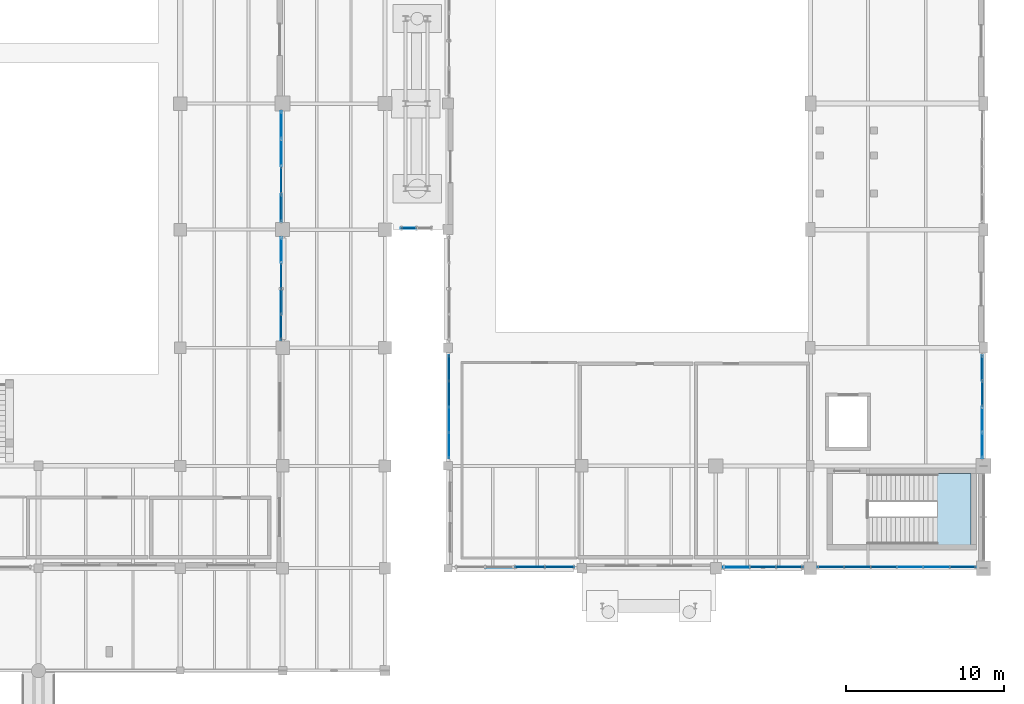
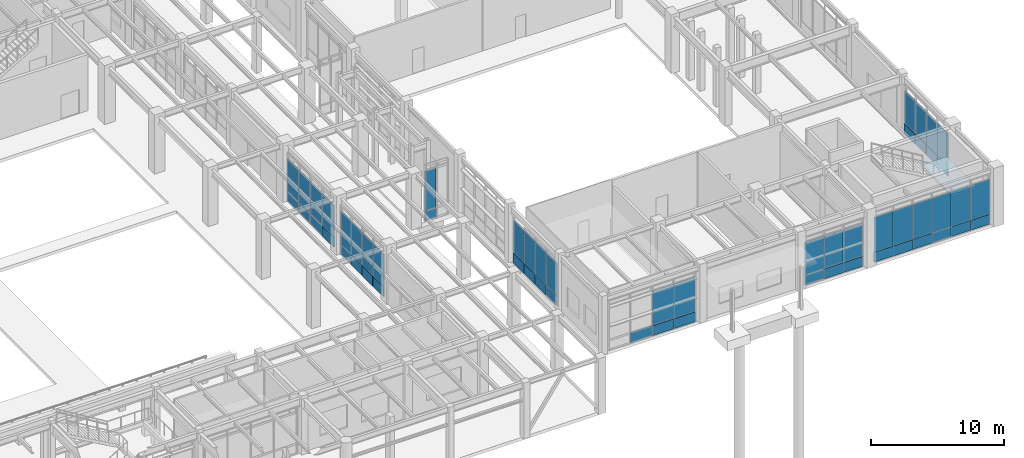
# One storey, part 158 of 203: 57 plates, 1 slab, 9 elements without a shape of their own.
"""IFC4 building model written with IfcOpenShell, lengths in metres."""

from ifc_helpers import new_model, si_unit, direction, frame, origin, origin_2d, place, context, subcontext, project, spatial, polyline, rectangle, outline, extrude, material, layer, layer_set, type_object, element, aggregate, save


model = new_model("IFC4")

# Units and contexts
model_context = context("Model", 3, precision=1e-05, world=origin(), true_north=direction((0.0, 1.0)))
body_context = subcontext(model_context, "Body", "Model", "MODEL_VIEW")
ifc_project = project(units=[si_unit("LENGTHUNIT", "METRE"), si_unit("AREAUNIT", "SQUARE_METRE"), si_unit("VOLUMEUNIT", "CUBIC_METRE"), si_unit("PLANEANGLEUNIT", "RADIAN"), si_unit("MASSUNIT", "GRAM", prefix="KILO"), si_unit("THERMODYNAMICTEMPERATUREUNIT", "KELVIN"), si_unit("POWERUNIT", "WATT")], contexts=[model_context])

# Site, building, storey
site_placement = place(None, origin())
site = spatial("IfcSite", under=ifc_project, at=site_placement, CompositionType="ELEMENT")
building_placement = place(site_placement, origin())
building = spatial("IfcBuilding", under=site, at=building_placement, Name="Tepalcoro Natatorium and Aquatics Centre", CompositionType="ELEMENT")
storey_placement = place(building_placement, origin())
storey = spatial("IfcBuildingStorey", under=building, at=storey_placement, Name="L00", CompositionType="ELEMENT", Elevation=0.0)

# Curtain wall, plate
ifc_material_1 = material(Name="Bronze-Anodised Extruded Aluminium Alloy EN AW-6063 T6", Category="aluminium")
curtain_wall_type_1 = type_object("IfcCurtainWallType", Name="CW_LEAN_T2_EW", PredefinedType="USERDEFINED", material=ifc_material_1)
curtain_wall_1_placement = place(storey_placement, origin())
curtain_wall_1 = element("IfcCurtainWall", 1, at=curtain_wall_1_placement, inside=storey, type_object=curtain_wall_type_1, Name="V1 L00 E Unitised Curtain Wall Bay 3", ObjectType="FACETED SOLAR GLAZING", PredefinedType="USERDEFINED")
ifc_material_2 = material(Name="Solar-Control Bronze Tempered Low-E Double Glazing", Category="glass")
ifc_layer_1 = layer(ifc_material_2, 0.048095703125)
ifc_layer_set_1 = layer_set([ifc_layer_1], Name="Solar-Control Bronze Tempered Low-E Double Glazing")
plate_type_1 = type_object("IfcPlateType", Name="PL_ACOUSTIC_IGU_48", PredefinedType="CURTAIN_PANEL", material=ifc_layer_set_1)
plate_1_placement = place(storey_placement, frame((131.409912109375, 23.4326171875, 0.9599609375), z_axis=(0.0, 0.0, 1.0), x_axis=(1.0, 0.0, 0.0)))
plate_1 = element("IfcPlate", 2, at=plate_1_placement, type_object=plate_type_1, Name="CW_LEAN_T2_EW Insulated Glazing Unit", PredefinedType="CURTAIN_PANEL", context=body_context, shape_type="SweptSolid", body=[
    extrude(rectangle(XDim=0.048095703125, YDim=1.614990234375, at=origin_2d()), origin(), (0.0, 0.0, 1.0), 3.006103515625),
])

# Curtain wall, plates
curtain_wall_type_2 = type_object("IfcCurtainWallType", Name="CW_V1_PLINTH", PredefinedType="USERDEFINED", material=ifc_material_1)
curtain_wall_2_placement = place(storey_placement, origin())
curtain_wall_2 = element("IfcCurtainWall", 3, at=curtain_wall_2_placement, inside=storey, type_object=curtain_wall_type_2, Name="V1 L00 E Unitised Curtain Wall Bay 4", ObjectType="UNITISED STOREFRONT", PredefinedType="USERDEFINED")
plate_2_placement = place(storey_placement, frame((131.409912109375, 29.360107421875, 0.9599609375), z_axis=(0.0, 0.0, 1.0), x_axis=(1.0, 0.0, 0.0)))
plate_2 = element("IfcPlate", 4, at=plate_2_placement, type_object=plate_type_1, Name="CW_V1_PLINTH Insulated Glazing Unit", PredefinedType="CURTAIN_PANEL", context=body_context, shape_type="SweptSolid", body=[
    extrude(rectangle(XDim=0.048095703125, YDim=1.739990234375, at=origin_2d()), origin(), (0.0, 0.0, 1.0), 2.93310546875),
])
plate_3_placement = place(storey_placement, frame((131.409912109375, 34.639892578125, 0.9599609375), z_axis=(0.0, 0.0, 1.0), x_axis=(1.0, 0.0, 0.0)))
plate_3 = element("IfcPlate", 5, at=plate_3_placement, type_object=plate_type_1, Name="CW_V1_PLINTH Insulated Glazing Unit", PredefinedType="CURTAIN_PANEL", context=body_context, shape_type="SweptSolid", body=[
    extrude(rectangle(XDim=0.048095703125, YDim=1.739990234375, at=origin_2d()), origin(), (0.0, 0.0, 1.0), 2.93310546875),
])

# Curtain wall, plate
curtain_wall_type_3 = type_object("IfcCurtainWallType", Name="CW_V4_VILLAGE", PredefinedType="USERDEFINED", material=ifc_material_1)
curtain_wall_3_placement = place(storey_placement, origin())
curtain_wall_3 = element("IfcCurtainWall", 6, at=curtain_wall_3_placement, inside=storey, type_object=curtain_wall_type_3, Name="V2 L00 S Unitised Curtain Wall Bay 3", ObjectType="UNITISED STOREFRONT", PredefinedType="USERDEFINED")
plate_4_placement = place(storey_placement, frame((160.320068359375, 6.576171875, 0.9599609375), z_axis=(0.0, 0.0, 1.0), x_axis=(1.0, 0.0, 0.0)))
plate_4 = element("IfcPlate", 7, at=plate_4_placement, type_object=plate_type_1, Name="CW_V4_VILLAGE Insulated Glazing Unit", PredefinedType="CURTAIN_PANEL", context=body_context, shape_type="SweptSolid", body=[
    extrude(rectangle(XDim=1.659912109375, YDim=0.048095703125, at=origin_2d()), origin(), (0.0, 0.0, 1.0), 2.97802734375),
])

# Curtain wall, plates
curtain_wall_type_4 = type_object("IfcCurtainWallType", Name="CW_V5_LOWER", PredefinedType="USERDEFINED", material=ifc_material_1)
curtain_wall_4_placement = place(storey_placement, origin())
curtain_wall_4 = element("IfcCurtainWall", 8, at=curtain_wall_4_placement, inside=storey, type_object=curtain_wall_type_4, Name="V2 L00 S Unitised Curtain Wall Bay 4", ObjectType="UNITISED STOREFRONT", PredefinedType="USERDEFINED")
plate_5_placement = place(storey_placement, frame((169.663330078125, 6.580078125, 0.9599609375), z_axis=(0.0, 0.0, 1.0), x_axis=(1.0, 0.0, 0.0)))
plate_5 = element("IfcPlate", 9, at=plate_5_placement, type_object=plate_type_1, Name="CW_V5_LOWER Insulated Glazing Unit", PredefinedType="CURTAIN_PANEL", context=body_context, shape_type="SweptSolid", body=[
    extrude(rectangle(XDim=1.6533203125, YDim=0.048095703125, at=origin_2d()), origin(), (0.0, 0.0, 1.0), 3.177001953125),
])
plate_6_placement = place(storey_placement, frame((174.683349609375, 6.580078125, 0.9599609375), z_axis=(0.0, 0.0, 1.0), x_axis=(1.0, 0.0, 0.0)))
plate_6 = element("IfcPlate", 10, at=plate_6_placement, type_object=plate_type_1, Name="CW_V5_LOWER Insulated Glazing Unit", PredefinedType="CURTAIN_PANEL", context=body_context, shape_type="SweptSolid", body=[
    extrude(rectangle(XDim=1.6533203125, YDim=0.048095703125, at=origin_2d()), origin(), (0.0, 0.0, 1.0), 3.177001953125),
])

# Curtain wall, plate
curtain_wall_type_5 = type_object("IfcCurtainWallType", Name="CW_LEAN_T1_NS", PredefinedType="USERDEFINED", material=ifc_material_1)
curtain_wall_5_placement = place(storey_placement, origin())
curtain_wall_5 = element("IfcCurtainWall", 11, at=curtain_wall_5_placement, inside=storey, type_object=curtain_wall_type_5, Name="V2 L00 W Unitised Curtain Wall Bay 2", ObjectType="FACETED SOLAR GLAZING", PredefinedType="USERDEFINED")
plate_7_placement = place(storey_placement, frame((142.06494140625, 17.5673828125, 0.9599609375), z_axis=(0.0, 0.0, 1.0), x_axis=(1.0, 0.0, 0.0)))
plate_7 = element("IfcPlate", 12, at=plate_7_placement, type_object=plate_type_1, Name="CW_LEAN_T1_NS Insulated Glazing Unit", PredefinedType="CURTAIN_PANEL", context=body_context, shape_type="SweptSolid", body=[
    extrude(rectangle(XDim=0.048095703125, YDim=1.614990234375, at=origin_2d()), origin(), (0.0, 0.0, 1.0), 2.97802734375),
])

# Curtain wall, plates
curtain_wall_type_6 = type_object("IfcCurtainWallType", Name="CW_LEAN_T2_NS", PredefinedType="USERDEFINED", material=ifc_material_1)
curtain_wall_6_placement = place(storey_placement, origin())
curtain_wall_6 = element("IfcCurtainWall", 13, at=curtain_wall_6_placement, inside=storey, type_object=curtain_wall_type_6, Name="V2 L00 E Unitised Curtain Wall Bay 2", ObjectType="FACETED SOLAR GLAZING", PredefinedType="USERDEFINED")
plate_8_placement = place(storey_placement, frame((175.923828125, 14.297607421875, 0.9599609375), z_axis=(0.0, 0.0, 1.0), x_axis=(1.0, 0.0, 0.0)))
plate_8 = element("IfcPlate", 14, at=plate_8_placement, type_object=plate_type_1, Name="CW_LEAN_T2_NS Insulated Glazing Unit", PredefinedType="CURTAIN_PANEL", context=body_context, shape_type="SweptSolid", body=[
    extrude(rectangle(XDim=0.048095703125, YDim=1.614990234375, at=origin_2d()), origin(), (0.0, 0.0, 1.0), 2.97802734375),
])
plate_9_placement = place(storey_placement, frame((175.923828125, 19.202392578125, 0.9599609375), z_axis=(0.0, 0.0, 1.0), x_axis=(1.0, 0.0, 0.0)))
plate_9 = element("IfcPlate", 15, at=plate_9_placement, type_object=plate_type_1, Name="CW_LEAN_T2_NS Insulated Glazing Unit", PredefinedType="CURTAIN_PANEL", context=body_context, shape_type="SweptSolid", body=[
    extrude(rectangle(XDim=0.048095703125, YDim=1.614990234375, at=origin_2d()), origin(), (0.0, 0.0, 1.0), 2.97802734375),
])

# Curtain wall, plate
curtain_wall_type_7 = type_object("IfcCurtainWallType", Name="CW_LINK_150", PredefinedType="USERDEFINED", material=ifc_material_1)
curtain_wall_7_placement = place(storey_placement, origin())
curtain_wall_7 = element("IfcCurtainWall", 16, at=curtain_wall_7_placement, inside=storey, type_object=curtain_wall_type_7, Name="East Diving Seismic Link Glazed Wall S L00", ObjectType="UNITISED STOREFRONT", PredefinedType="USERDEFINED")
plate_10_placement = place(storey_placement, frame((139.5, 28.080078125, 0.9599609375), z_axis=(0.0, 0.0, 1.0), x_axis=(1.0, 0.0, 0.0)))
plate_10 = element("IfcPlate", 17, at=plate_10_placement, type_object=plate_type_1, Name="CW_LINK_150 Insulated Glazing Unit", PredefinedType="CURTAIN_PANEL", context=body_context, shape_type="SweptSolid", body=[
    extrude(rectangle(XDim=0.97998046875, YDim=0.048095703125, at=origin_2d()), origin(), (0.0, 0.0, 1.0), 3.639892578125),
])

# Plate
ifc_layer_2 = layer(ifc_material_2, 0.028076171875)
ifc_layer_set_2 = layer_set([ifc_layer_2], Name="Solar-Control Bronze Tempered Low-E Double Glazing")
plate_type_2 = type_object("IfcPlateType", Name="PL_BRONZE_IGU_28", PredefinedType="CURTAIN_PANEL", material=ifc_layer_set_2)
plate_11_placement = place(storey_placement, frame((131.409912109375, 21.797607421875, 0.9599609375), z_axis=(0.0, 0.0, 1.0), x_axis=(1.0, 0.0, 0.0)))
plate_11 = element("IfcPlate", 18, at=plate_11_placement, type_object=plate_type_2, Name="CW_LEAN_T2_EW Insulated Glazing Unit", PredefinedType="CURTAIN_PANEL", context=body_context, shape_type="SweptSolid", body=[
    extrude(rectangle(XDim=0.028076171875, YDim=1.614990234375, at=origin_2d()), origin(), (0.0, 0.0, 1.0), 3.006103515625),
])

plate_12_placement = place(storey_placement, frame((131.409912109375, 26.702392578125, 0.9599609375), z_axis=(0.0, 0.0, 1.0), x_axis=(1.0, 0.0, 0.0)))
plate_12 = element("IfcPlate", 19, at=plate_12_placement, type_object=plate_type_2, Name="CW_LEAN_T2_EW Insulated Glazing Unit", PredefinedType="CURTAIN_PANEL", context=body_context, shape_type="SweptSolid", body=[
    extrude(rectangle(XDim=0.028076171875, YDim=1.614990234375, at=origin_2d()), origin(), (0.0, 0.0, 1.0), 3.006103515625),
])

plate_13_placement = place(storey_placement, frame((131.409912109375, 32.8798828125, 0.9599609375), z_axis=(0.0, 0.0, 1.0), x_axis=(1.0, 0.0, 0.0)))
plate_13 = element("IfcPlate", 20, at=plate_13_placement, type_object=plate_type_2, Name="CW_V1_PLINTH Insulated Glazing Unit", PredefinedType="CURTAIN_PANEL", context=body_context, shape_type="SweptSolid", body=[
    extrude(rectangle(XDim=0.028076171875, YDim=1.739990234375, at=origin_2d()), origin(), (0.0, 0.0, 1.0), 2.93310546875),
])

# Curtain wall, plate
curtain_wall_type_8 = type_object("IfcCurtainWallType", Name="CW_V2_DIVING", PredefinedType="USERDEFINED", material=ifc_material_1)
curtain_wall_8_placement = place(storey_placement, origin())
curtain_wall_8 = element("IfcCurtainWall", 21, at=curtain_wall_8_placement, inside=storey, type_object=curtain_wall_type_8, Name="V2 L00 S Unitised Curtain Wall Bay 1", ObjectType="FACETED SOLAR GLAZING", PredefinedType="USERDEFINED")
plate_14_placement = place(storey_placement, frame((149.077392578125, 6.576171875, 0.9599609375), z_axis=(0.0, 0.0, 1.0), x_axis=(1.0, 0.0, 0.0)))
plate_14 = element("IfcPlate", 22, at=plate_14_placement, type_object=plate_type_2, Name="CW_V2_DIVING Insulated Glazing Unit", PredefinedType="CURTAIN_PANEL", context=body_context, shape_type="SweptSolid", body=[
    extrude(rectangle(XDim=1.864990234375, YDim=0.028076171875, at=origin_2d()), origin(), (0.0, 0.0, 1.0), 3.1298828125),
])

# Plate
plate_15_placement = place(storey_placement, frame((163.679931640625, 6.576171875, 0.9599609375), z_axis=(0.0, 0.0, 1.0), x_axis=(1.0, 0.0, 0.0)))
plate_15 = element("IfcPlate", 23, at=plate_15_placement, type_object=plate_type_2, Name="CW_V4_VILLAGE Insulated Glazing Unit", PredefinedType="CURTAIN_PANEL", context=body_context, shape_type="SweptSolid", body=[
    extrude(rectangle(XDim=1.659912109375, YDim=0.028076171875, at=origin_2d()), origin(), (0.0, 0.0, 1.0), 2.97802734375),
])

plate_16_placement = place(storey_placement, frame((167.989990234375, 6.580078125, 0.9599609375), z_axis=(0.0, 0.0, 1.0), x_axis=(1.0, 0.0, 0.0)))
plate_16 = element("IfcPlate", 24, at=plate_16_placement, type_object=plate_type_2, Name="CW_V5_LOWER Insulated Glazing Unit", PredefinedType="CURTAIN_PANEL", context=body_context, shape_type="SweptSolid", body=[
    extrude(rectangle(XDim=1.6533203125, YDim=0.028076171875, at=origin_2d()), origin(), (0.0, 0.0, 1.0), 3.177001953125),
])

plate_17_placement = place(storey_placement, frame((173.010009765625, 6.580078125, 0.9599609375), z_axis=(0.0, 0.0, 1.0), x_axis=(1.0, 0.0, 0.0)))
plate_17 = element("IfcPlate", 25, at=plate_17_placement, type_object=plate_type_2, Name="CW_V5_LOWER Insulated Glazing Unit", PredefinedType="CURTAIN_PANEL", context=body_context, shape_type="SweptSolid", body=[
    extrude(rectangle(XDim=1.6533203125, YDim=0.028076171875, at=origin_2d()), origin(), (0.0, 0.0, 1.0), 3.177001953125),
])

plate_18_placement = place(storey_placement, frame((142.06494140625, 15.9326171875, 0.9599609375), z_axis=(0.0, 0.0, 1.0), x_axis=(1.0, 0.0, 0.0)))
plate_18 = element("IfcPlate", 26, at=plate_18_placement, type_object=plate_type_2, Name="CW_LEAN_T1_NS Insulated Glazing Unit", PredefinedType="CURTAIN_PANEL", context=body_context, shape_type="SweptSolid", body=[
    extrude(rectangle(XDim=0.028076171875, YDim=1.614990234375, at=origin_2d()), origin(), (0.0, 0.0, 1.0), 2.97802734375),
])

plate_19_placement = place(storey_placement, frame((175.923828125, 17.5673828125, 0.9599609375), z_axis=(0.0, 0.0, 1.0), x_axis=(1.0, 0.0, 0.0)))
plate_19 = element("IfcPlate", 27, at=plate_19_placement, type_object=plate_type_2, Name="CW_LEAN_T2_NS Insulated Glazing Unit", PredefinedType="CURTAIN_PANEL", context=body_context, shape_type="SweptSolid", body=[
    extrude(rectangle(XDim=0.028076171875, YDim=1.614990234375, at=origin_2d()), origin(), (0.0, 0.0, 1.0), 2.97802734375),
])

ifc_material_3 = material(Name="Jalisco Cantera Rosa Volcanic Tuff Ashlar Masonry", Category="masonry")
ifc_layer_3 = layer(ifc_material_3, 0.090087890625)
ifc_layer_set_3 = layer_set([ifc_layer_3], Name="Jalisco Cantera Rosa Volcanic Tuff Ashlar Masonry")
plate_type_3 = type_object("IfcPlateType", Name="PL_CANTERA_90", PredefinedType="SHEET", material=ifc_layer_set_3)
plate_20_placement = place(storey_placement, frame((131.409912109375, 21.797607421875, 0.044921875), z_axis=(0.0, 0.0, 1.0), x_axis=(1.0, 0.0, 0.0)))
plate_20 = element("IfcPlate", 28, at=plate_20_placement, type_object=plate_type_3, Name="CW_LEAN_T2_EW Spandrel & Screen Panel", PredefinedType="SHEET", context=body_context, shape_type="SweptSolid", body=[
    extrude(rectangle(XDim=0.090087890625, YDim=1.614990234375, at=origin_2d()), origin(), (0.0, 0.0, 1.0), 0.909912109375),
])

plate_21_placement = place(storey_placement, frame((147.1923828125, 6.576171875, 0.044921875), z_axis=(0.0, 0.0, 1.0), x_axis=(1.0, 0.0, 0.0)))
plate_21 = element("IfcPlate", 29, at=plate_21_placement, type_object=plate_type_3, Name="CW_V2_DIVING Spandrel & Screen Panel", PredefinedType="SHEET", context=body_context, shape_type="SweptSolid", body=[
    extrude(rectangle(XDim=1.864990234375, YDim=0.090087890625, at=origin_2d()), origin(), (0.0, 0.0, 1.0), 0.909912109375),
])

plate_22_placement = place(storey_placement, frame((162.0, 6.576171875, 0.044921875), z_axis=(0.0, 0.0, 1.0), x_axis=(1.0, 0.0, 0.0)))
plate_22 = element("IfcPlate", 30, at=plate_22_placement, type_object=plate_type_3, Name="CW_V4_VILLAGE Spandrel & Screen Panel", PredefinedType="SHEET", context=body_context, shape_type="SweptSolid", body=[
    extrude(rectangle(XDim=1.659912109375, YDim=0.090087890625, at=origin_2d()), origin(), (0.0, 0.0, 1.0), 0.909912109375),
])

plate_23_placement = place(storey_placement, frame((166.316650390625, 6.580078125, 0.044921875), z_axis=(0.0, 0.0, 1.0), x_axis=(1.0, 0.0, 0.0)))
plate_23 = element("IfcPlate", 31, at=plate_23_placement, type_object=plate_type_3, Name="CW_V5_LOWER Spandrel & Screen Panel", PredefinedType="SHEET", context=body_context, shape_type="SweptSolid", body=[
    extrude(rectangle(XDim=1.6533203125, YDim=0.090087890625, at=origin_2d()), origin(), (0.0, 0.0, 1.0), 0.909912109375),
])

plate_24_placement = place(storey_placement, frame((174.683349609375, 6.580078125, 0.044921875), z_axis=(0.0, 0.0, 1.0), x_axis=(1.0, 0.0, 0.0)))
plate_24 = element("IfcPlate", 32, at=plate_24_placement, type_object=plate_type_3, Name="CW_V5_LOWER Spandrel & Screen Panel", PredefinedType="SHEET", context=body_context, shape_type="SweptSolid", body=[
    extrude(rectangle(XDim=1.6533203125, YDim=0.090087890625, at=origin_2d()), origin(), (0.0, 0.0, 1.0), 0.909912109375),
])

plate_25_placement = place(storey_placement, frame((142.06494140625, 17.5673828125, 0.044921875), z_axis=(0.0, 0.0, 1.0), x_axis=(1.0, 0.0, 0.0)))
plate_25 = element("IfcPlate", 33, at=plate_25_placement, type_object=plate_type_3, Name="CW_LEAN_T1_NS Spandrel & Screen Panel", PredefinedType="SHEET", context=body_context, shape_type="SweptSolid", body=[
    extrude(rectangle(XDim=0.090087890625, YDim=1.614990234375, at=origin_2d()), origin(), (0.0, 0.0, 1.0), 0.909912109375),
])

plate_26_placement = place(storey_placement, frame((175.923828125, 17.5673828125, 0.044921875), z_axis=(0.0, 0.0, 1.0), x_axis=(1.0, 0.0, 0.0)))
plate_26 = element("IfcPlate", 34, at=plate_26_placement, type_object=plate_type_3, Name="CW_LEAN_T2_NS Spandrel & Screen Panel", PredefinedType="SHEET", context=body_context, shape_type="SweptSolid", body=[
    extrude(rectangle(XDim=0.090087890625, YDim=1.614990234375, at=origin_2d()), origin(), (0.0, 0.0, 1.0), 0.909912109375),
])

ifc_material_4 = material(Name="Clear Tempered Low-E Safety Glazing", Category="glass")
ifc_layer_4 = layer(ifc_material_4, 0.011962890625)
ifc_layer_set_4 = layer_set([ifc_layer_4], Name="Clear Tempered Low-E Safety Glazing")
plate_type_4 = type_object("IfcPlateType", Name="PL_GLASS_12", PredefinedType="CURTAIN_PANEL", material=ifc_layer_set_4)
plate_27_placement = place(storey_placement, frame((131.409912109375, 25.0673828125, 0.9599609375), z_axis=(0.0, 0.0, 1.0), x_axis=(1.0, 0.0, 0.0)))
plate_27 = element("IfcPlate", 35, at=plate_27_placement, type_object=plate_type_4, Name="CW_LEAN_T2_EW Insulated Glazing Unit", PredefinedType="CURTAIN_PANEL", context=body_context, shape_type="SweptSolid", body=[
    extrude(rectangle(XDim=0.011962890625, YDim=1.614990234375, at=origin_2d()), origin(), (0.0, 0.0, 1.0), 3.006103515625),
])

plate_28_placement = place(storey_placement, frame((131.409912109375, 31.1201171875, 0.9599609375), z_axis=(0.0, 0.0, 1.0), x_axis=(1.0, 0.0, 0.0)))
plate_28 = element("IfcPlate", 36, at=plate_28_placement, type_object=plate_type_4, Name="CW_V1_PLINTH Insulated Glazing Unit", PredefinedType="CURTAIN_PANEL", context=body_context, shape_type="SweptSolid", body=[
    extrude(rectangle(XDim=0.011962890625, YDim=1.739990234375, at=origin_2d()), origin(), (0.0, 0.0, 1.0), 2.93310546875),
])

plate_29_placement = place(storey_placement, frame((147.1923828125, 6.576171875, 0.9599609375), z_axis=(0.0, 0.0, 1.0), x_axis=(1.0, 0.0, 0.0)))
plate_29 = element("IfcPlate", 37, at=plate_29_placement, type_object=plate_type_4, Name="CW_V2_DIVING Insulated Glazing Unit", PredefinedType="CURTAIN_PANEL", context=body_context, shape_type="SweptSolid", body=[
    extrude(rectangle(XDim=1.864990234375, YDim=0.011962890625, at=origin_2d()), origin(), (0.0, 0.0, 1.0), 3.1298828125),
])

plate_30_placement = place(storey_placement, frame((162.0, 6.576171875, 0.9599609375), z_axis=(0.0, 0.0, 1.0), x_axis=(1.0, 0.0, 0.0)))
plate_30 = element("IfcPlate", 38, at=plate_30_placement, type_object=plate_type_4, Name="CW_V4_VILLAGE Insulated Glazing Unit", PredefinedType="CURTAIN_PANEL", context=body_context, shape_type="SweptSolid", body=[
    extrude(rectangle(XDim=1.659912109375, YDim=0.011962890625, at=origin_2d()), origin(), (0.0, 0.0, 1.0), 2.97802734375),
])

plate_31_placement = place(storey_placement, frame((166.316650390625, 6.580078125, 0.9599609375), z_axis=(0.0, 0.0, 1.0), x_axis=(1.0, 0.0, 0.0)))
plate_31 = element("IfcPlate", 39, at=plate_31_placement, type_object=plate_type_4, Name="CW_V5_LOWER Insulated Glazing Unit", PredefinedType="CURTAIN_PANEL", context=body_context, shape_type="SweptSolid", body=[
    extrude(rectangle(XDim=1.6533203125, YDim=0.011962890625, at=origin_2d()), origin(), (0.0, 0.0, 1.0), 3.177001953125),
])

plate_32_placement = place(storey_placement, frame((171.336669921875, 6.580078125, 0.9599609375), z_axis=(0.0, 0.0, 1.0), x_axis=(1.0, 0.0, 0.0)))
plate_32 = element("IfcPlate", 40, at=plate_32_placement, type_object=plate_type_4, Name="CW_V5_LOWER Insulated Glazing Unit", PredefinedType="CURTAIN_PANEL", context=body_context, shape_type="SweptSolid", body=[
    extrude(rectangle(XDim=1.6533203125, YDim=0.011962890625, at=origin_2d()), origin(), (0.0, 0.0, 1.0), 3.177001953125),
])

plate_33_placement = place(storey_placement, frame((142.06494140625, 14.297607421875, 0.9599609375), z_axis=(0.0, 0.0, 1.0), x_axis=(1.0, 0.0, 0.0)))
plate_33 = element("IfcPlate", 41, at=plate_33_placement, type_object=plate_type_4, Name="CW_LEAN_T1_NS Insulated Glazing Unit", PredefinedType="CURTAIN_PANEL", context=body_context, shape_type="SweptSolid", body=[
    extrude(rectangle(XDim=0.011962890625, YDim=1.614990234375, at=origin_2d()), origin(), (0.0, 0.0, 1.0), 2.97802734375),
])

plate_34_placement = place(storey_placement, frame((142.06494140625, 19.202392578125, 0.9599609375), z_axis=(0.0, 0.0, 1.0), x_axis=(1.0, 0.0, 0.0)))
plate_34 = element("IfcPlate", 42, at=plate_34_placement, type_object=plate_type_4, Name="CW_LEAN_T1_NS Insulated Glazing Unit", PredefinedType="CURTAIN_PANEL", context=body_context, shape_type="SweptSolid", body=[
    extrude(rectangle(XDim=0.011962890625, YDim=1.614990234375, at=origin_2d()), origin(), (0.0, 0.0, 1.0), 2.97802734375),
])

plate_35_placement = place(storey_placement, frame((175.923828125, 15.9326171875, 0.9599609375), z_axis=(0.0, 0.0, 1.0), x_axis=(1.0, 0.0, 0.0)))
plate_35 = element("IfcPlate", 43, at=plate_35_placement, type_object=plate_type_4, Name="CW_LEAN_T2_NS Insulated Glazing Unit", PredefinedType="CURTAIN_PANEL", context=body_context, shape_type="SweptSolid", body=[
    extrude(rectangle(XDim=0.011962890625, YDim=1.614990234375, at=origin_2d()), origin(), (0.0, 0.0, 1.0), 2.97802734375),
])

ifc_material_5 = material(Name="Volcanic Recinto Basalt Ashlar Masonry", Category="masonry")
ifc_layer_5 = layer(ifc_material_5, 0.110107421875)
ifc_layer_set_5 = layer_set([ifc_layer_5], Name="Volcanic Recinto Basalt Ashlar Masonry")
plate_type_5 = type_object("IfcPlateType", Name="PL_RECINTO_110", PredefinedType="SHEET", material=ifc_layer_set_5)
plate_36_placement = place(storey_placement, frame((131.409912109375, 23.4326171875, 0.044921875), z_axis=(0.0, 0.0, 1.0), x_axis=(1.0, 0.0, 0.0)))
plate_36 = element("IfcPlate", 44, at=plate_36_placement, type_object=plate_type_5, Name="CW_LEAN_T2_EW Spandrel & Screen Panel", PredefinedType="SHEET", context=body_context, shape_type="SweptSolid", body=[
    extrude(rectangle(XDim=0.110107421875, YDim=1.614990234375, at=origin_2d()), origin(), (0.0, 0.0, 1.0), 0.909912109375),
])

plate_37_placement = place(storey_placement, frame((131.409912109375, 29.360107421875, 0.044921875), z_axis=(0.0, 0.0, 1.0), x_axis=(1.0, 0.0, 0.0)))
plate_37 = element("IfcPlate", 45, at=plate_37_placement, type_object=plate_type_5, Name="CW_V1_PLINTH Spandrel & Screen Panel", PredefinedType="SHEET", context=body_context, shape_type="SweptSolid", body=[
    extrude(rectangle(XDim=0.110107421875, YDim=1.739990234375, at=origin_2d()), origin(), (0.0, 0.0, 1.0), 0.909912109375),
])

plate_38_placement = place(storey_placement, frame((149.077392578125, 6.576171875, 0.044921875), z_axis=(0.0, 0.0, 1.0), x_axis=(1.0, 0.0, 0.0)))
plate_38 = element("IfcPlate", 46, at=plate_38_placement, type_object=plate_type_5, Name="CW_V2_DIVING Spandrel & Screen Panel", PredefinedType="SHEET", context=body_context, shape_type="SweptSolid", body=[
    extrude(rectangle(XDim=1.864990234375, YDim=0.110107421875, at=origin_2d()), origin(), (0.0, 0.0, 1.0), 0.909912109375),
])

plate_39_placement = place(storey_placement, frame((163.679931640625, 6.576171875, 0.044921875), z_axis=(0.0, 0.0, 1.0), x_axis=(1.0, 0.0, 0.0)))
plate_39 = element("IfcPlate", 47, at=plate_39_placement, type_object=plate_type_5, Name="CW_V4_VILLAGE Spandrel & Screen Panel", PredefinedType="SHEET", context=body_context, shape_type="SweptSolid", body=[
    extrude(rectangle(XDim=1.659912109375, YDim=0.110107421875, at=origin_2d()), origin(), (0.0, 0.0, 1.0), 0.909912109375),
])

plate_40_placement = place(storey_placement, frame((167.989990234375, 6.580078125, 0.044921875), z_axis=(0.0, 0.0, 1.0), x_axis=(1.0, 0.0, 0.0)))
plate_40 = element("IfcPlate", 48, at=plate_40_placement, type_object=plate_type_5, Name="CW_V5_LOWER Spandrel & Screen Panel", PredefinedType="SHEET", context=body_context, shape_type="SweptSolid", body=[
    extrude(rectangle(XDim=1.6533203125, YDim=0.110107421875, at=origin_2d()), origin(), (0.0, 0.0, 1.0), 0.909912109375),
])

plate_41_placement = place(storey_placement, frame((142.06494140625, 19.202392578125, 0.044921875), z_axis=(0.0, 0.0, 1.0), x_axis=(1.0, 0.0, 0.0)))
plate_41 = element("IfcPlate", 49, at=plate_41_placement, type_object=plate_type_5, Name="CW_LEAN_T1_NS Spandrel & Screen Panel", PredefinedType="SHEET", context=body_context, shape_type="SweptSolid", body=[
    extrude(rectangle(XDim=0.110107421875, YDim=1.614990234375, at=origin_2d()), origin(), (0.0, 0.0, 1.0), 0.909912109375),
])

plate_42_placement = place(storey_placement, frame((175.923828125, 19.202392578125, 0.044921875), z_axis=(0.0, 0.0, 1.0), x_axis=(1.0, 0.0, 0.0)))
plate_42 = element("IfcPlate", 50, at=plate_42_placement, type_object=plate_type_5, Name="CW_LEAN_T2_NS Spandrel & Screen Panel", PredefinedType="SHEET", context=body_context, shape_type="SweptSolid", body=[
    extrude(rectangle(XDim=0.110107421875, YDim=1.614990234375, at=origin_2d()), origin(), (0.0, 0.0, 1.0), 0.909912109375),
])

ifc_layer_6 = layer(ifc_material_1, 0.050048828125)
ifc_layer_set_6 = layer_set([ifc_layer_6], Name="Bronze-Anodised Extruded Aluminium Alloy EN AW-6063 T6")
plate_type_6 = type_object("IfcPlateType", Name="PL_SCREEN_50", PredefinedType="SHEET", material=ifc_layer_set_6)
plate_43_placement = place(storey_placement, frame((131.409912109375, 26.702392578125, 0.044921875), z_axis=(0.0, 0.0, 1.0), x_axis=(1.0, 0.0, 0.0)))
plate_43 = element("IfcPlate", 51, at=plate_43_placement, type_object=plate_type_6, Name="CW_LEAN_T2_EW Spandrel & Screen Panel", PredefinedType="SHEET", context=body_context, shape_type="SweptSolid", body=[
    extrude(rectangle(XDim=0.050048828125, YDim=1.614990234375, at=origin_2d()), origin(), (0.0, 0.0, 1.0), 0.909912109375),
])

plate_44_placement = place(storey_placement, frame((131.409912109375, 32.8798828125, 0.044921875), z_axis=(0.0, 0.0, 1.0), x_axis=(1.0, 0.0, 0.0)))
plate_44 = element("IfcPlate", 52, at=plate_44_placement, type_object=plate_type_6, Name="CW_V1_PLINTH Spandrel & Screen Panel", PredefinedType="SHEET", context=body_context, shape_type="SweptSolid", body=[
    extrude(rectangle(XDim=0.050048828125, YDim=1.739990234375, at=origin_2d()), origin(), (0.0, 0.0, 1.0), 0.909912109375),
])

plate_45_placement = place(storey_placement, frame((171.336669921875, 6.580078125, 0.044921875), z_axis=(0.0, 0.0, 1.0), x_axis=(1.0, 0.0, 0.0)))
plate_45 = element("IfcPlate", 53, at=plate_45_placement, type_object=plate_type_6, Name="CW_V5_LOWER Spandrel & Screen Panel", PredefinedType="SHEET", context=body_context, shape_type="SweptSolid", body=[
    extrude(rectangle(XDim=1.6533203125, YDim=0.050048828125, at=origin_2d()), origin(), (0.0, 0.0, 1.0), 0.909912109375),
])

plate_46_placement = place(storey_placement, frame((142.06494140625, 14.297607421875, 0.044921875), z_axis=(0.0, 0.0, 1.0), x_axis=(1.0, 0.0, 0.0)))
plate_46 = element("IfcPlate", 54, at=plate_46_placement, type_object=plate_type_6, Name="CW_LEAN_T1_NS Spandrel & Screen Panel", PredefinedType="SHEET", context=body_context, shape_type="SweptSolid", body=[
    extrude(rectangle(XDim=0.050048828125, YDim=1.614990234375, at=origin_2d()), origin(), (0.0, 0.0, 1.0), 0.909912109375),
])

plate_47_placement = place(storey_placement, frame((175.923828125, 14.297607421875, 0.044921875), z_axis=(0.0, 0.0, 1.0), x_axis=(1.0, 0.0, 0.0)))
plate_47 = element("IfcPlate", 55, at=plate_47_placement, type_object=plate_type_6, Name="CW_LEAN_T2_NS Spandrel & Screen Panel", PredefinedType="SHEET", context=body_context, shape_type="SweptSolid", body=[
    extrude(rectangle(XDim=0.050048828125, YDim=1.614990234375, at=origin_2d()), origin(), (0.0, 0.0, 1.0), 0.909912109375),
])

ifc_layer_7 = layer(ifc_material_1, 0.06005859375)
ifc_layer_set_7 = layer_set([ifc_layer_7], Name="Bronze-Anodised Extruded Aluminium Alloy EN AW-6063 T6")
plate_type_7 = type_object("IfcPlateType", Name="PL_SCREEN_60", PredefinedType="SHEET", material=ifc_layer_set_7)
plate_48_placement = place(storey_placement, frame((131.409912109375, 34.639892578125, 0.044921875), z_axis=(0.0, 0.0, 1.0), x_axis=(1.0, 0.0, 0.0)))
plate_48 = element("IfcPlate", 56, at=plate_48_placement, type_object=plate_type_7, Name="CW_V1_PLINTH Spandrel & Screen Panel", PredefinedType="SHEET", context=body_context, shape_type="SweptSolid", body=[
    extrude(rectangle(XDim=0.06005859375, YDim=1.739990234375, at=origin_2d()), origin(), (0.0, 0.0, 1.0), 0.909912109375),
])

plate_49_placement = place(storey_placement, frame((145.3076171875, 6.576171875, 0.044921875), z_axis=(0.0, 0.0, 1.0), x_axis=(1.0, 0.0, 0.0)))
plate_49 = element("IfcPlate", 57, at=plate_49_placement, type_object=plate_type_7, Name="CW_V2_DIVING Spandrel & Screen Panel", PredefinedType="SHEET", context=body_context, shape_type="SweptSolid", body=[
    extrude(rectangle(XDim=1.864990234375, YDim=0.06005859375, at=origin_2d()), origin(), (0.0, 0.0, 1.0), 0.909912109375),
])

aggregate(curtain_wall_8, [plate_49, plate_29, plate_21, plate_14, plate_38])

plate_50_placement = place(storey_placement, frame((160.320068359375, 6.576171875, 0.044921875), z_axis=(0.0, 0.0, 1.0), x_axis=(1.0, 0.0, 0.0)))
plate_50 = element("IfcPlate", 58, at=plate_50_placement, type_object=plate_type_7, Name="CW_V4_VILLAGE Spandrel & Screen Panel", PredefinedType="SHEET", context=body_context, shape_type="SweptSolid", body=[
    extrude(rectangle(XDim=1.659912109375, YDim=0.06005859375, at=origin_2d()), origin(), (0.0, 0.0, 1.0), 0.909912109375),
])

aggregate(curtain_wall_3, [plate_4, plate_50, plate_30, plate_22, plate_15, plate_39])

plate_51_placement = place(storey_placement, frame((173.010009765625, 6.580078125, 0.044921875), z_axis=(0.0, 0.0, 1.0), x_axis=(1.0, 0.0, 0.0)))
plate_51 = element("IfcPlate", 59, at=plate_51_placement, type_object=plate_type_7, Name="CW_V5_LOWER Spandrel & Screen Panel", PredefinedType="SHEET", context=body_context, shape_type="SweptSolid", body=[
    extrude(rectangle(XDim=1.6533203125, YDim=0.06005859375, at=origin_2d()), origin(), (0.0, 0.0, 1.0), 0.909912109375),
])

plate_52_placement = place(storey_placement, frame((142.06494140625, 15.9326171875, 0.044921875), z_axis=(0.0, 0.0, 1.0), x_axis=(1.0, 0.0, 0.0)))
plate_52 = element("IfcPlate", 60, at=plate_52_placement, type_object=plate_type_7, Name="CW_LEAN_T1_NS Spandrel & Screen Panel", PredefinedType="SHEET", context=body_context, shape_type="SweptSolid", body=[
    extrude(rectangle(XDim=0.06005859375, YDim=1.614990234375, at=origin_2d()), origin(), (0.0, 0.0, 1.0), 0.909912109375),
])

aggregate(curtain_wall_5, [plate_33, plate_46, plate_18, plate_52, plate_7, plate_25, plate_34, plate_41])

plate_53_placement = place(storey_placement, frame((175.923828125, 15.9326171875, 0.044921875), z_axis=(0.0, 0.0, 1.0), x_axis=(1.0, 0.0, 0.0)))
plate_53 = element("IfcPlate", 61, at=plate_53_placement, type_object=plate_type_7, Name="CW_LEAN_T2_NS Spandrel & Screen Panel", PredefinedType="SHEET", context=body_context, shape_type="SweptSolid", body=[
    extrude(rectangle(XDim=0.06005859375, YDim=1.614990234375, at=origin_2d()), origin(), (0.0, 0.0, 1.0), 0.909912109375),
])

aggregate(curtain_wall_6, [plate_8, plate_47, plate_35, plate_53, plate_19, plate_26, plate_9, plate_42])

ifc_material_6 = material(Name="Insulated Bronze Anodised Aluminium Spandrel Panel", Category="aluminium")
ifc_layer_8 = layer(ifc_material_6, 0.070068359375)
ifc_layer_set_8 = layer_set([ifc_layer_8], Name="Insulated Bronze Anodised Aluminium Spandrel Panel")
plate_type_8 = type_object("IfcPlateType", Name="PL_SPANDREL_70", PredefinedType="CURTAIN_PANEL", material=ifc_layer_set_8)
plate_54_placement = place(storey_placement, frame((131.409912109375, 25.0673828125, 0.044921875), z_axis=(0.0, 0.0, 1.0), x_axis=(1.0, 0.0, 0.0)))
plate_54 = element("IfcPlate", 62, at=plate_54_placement, type_object=plate_type_8, Name="CW_LEAN_T2_EW Spandrel & Screen Panel", PredefinedType="CURTAIN_PANEL", context=body_context, shape_type="SweptSolid", body=[
    extrude(rectangle(XDim=0.070068359375, YDim=1.614990234375, at=origin_2d()), origin(), (0.0, 0.0, 1.0), 0.909912109375),
])

aggregate(curtain_wall_1, [plate_11, plate_20, plate_1, plate_36, plate_27, plate_54, plate_12, plate_43])

plate_55_placement = place(storey_placement, frame((131.409912109375, 31.1201171875, 0.044921875), z_axis=(0.0, 0.0, 1.0), x_axis=(1.0, 0.0, 0.0)))
plate_55 = element("IfcPlate", 63, at=plate_55_placement, type_object=plate_type_8, Name="CW_V1_PLINTH Spandrel & Screen Panel", PredefinedType="CURTAIN_PANEL", context=body_context, shape_type="SweptSolid", body=[
    extrude(rectangle(XDim=0.070068359375, YDim=1.739990234375, at=origin_2d()), origin(), (0.0, 0.0, 1.0), 0.909912109375),
])

aggregate(curtain_wall_2, [plate_2, plate_37, plate_28, plate_55, plate_13, plate_44, plate_3, plate_48])

plate_56_placement = place(storey_placement, frame((169.663330078125, 6.580078125, 0.044921875), z_axis=(0.0, 0.0, 1.0), x_axis=(1.0, 0.0, 0.0)))
plate_56 = element("IfcPlate", 64, at=plate_56_placement, type_object=plate_type_8, Name="CW_V5_LOWER Spandrel & Screen Panel", PredefinedType="CURTAIN_PANEL", context=body_context, shape_type="SweptSolid", body=[
    extrude(rectangle(XDim=1.6533203125, YDim=0.070068359375, at=origin_2d()), origin(), (0.0, 0.0, 1.0), 0.909912109375),
])

aggregate(curtain_wall_4, [plate_31, plate_23, plate_16, plate_40, plate_5, plate_56, plate_32, plate_45, plate_17, plate_51, plate_6, plate_24])

plate_57_placement = place(storey_placement, frame((139.5, 28.080078125, 0.044921875), z_axis=(0.0, 0.0, 1.0), x_axis=(1.0, 0.0, 0.0)))
plate_57 = element("IfcPlate", 65, at=plate_57_placement, type_object=plate_type_8, Name="CW_LINK_150 Spandrel & Screen Panel", PredefinedType="CURTAIN_PANEL", context=body_context, shape_type="SweptSolid", body=[
    extrude(rectangle(XDim=0.97998046875, YDim=0.070068359375, at=origin_2d()), origin(), (0.0, 0.0, 1.0), 0.909912109375),
])

aggregate(curtain_wall_7, [plate_10, plate_57])

# Stair, slab
ifc_material_7 = material(Name="Concrete C35/45 (fc 35 MPa)", Category="concrete")
stair_type = type_object("IfcStairType", Name="ST_RC_1800_L02", PredefinedType="HALF_TURN_STAIR", material=ifc_material_7)
stair_placement = place(storey_placement, origin())
stair = element("IfcStair", 66, at=stair_placement, inside=storey, type_object=stair_type, Name="Diving Wing South Fire Stair (L00 to L01)", PredefinedType="HALF_TURN_STAIR")
ifc_layer_9 = layer(ifc_material_7, 0.199951171875)
ifc_layer_set_9 = layer_set([ifc_layer_9], Name="Concrete C35/45 (fc 35 MPa)")
slab_type = type_object("IfcSlabType", Name="SL_LANDING_200", PredefinedType="LANDING", material=ifc_layer_set_9)
slab_placement = place(storey_placement, frame((0.0, 0.0, 2.5)))
slab = element("IfcSlab", 67, at=slab_placement, type_object=slab_type, Name="Diving Wing South Fire Stair (L00 to L01) Half-Landing", PredefinedType="LANDING", context=body_context, shape_type="SweptSolid", body=[
    extrude(outline(polyline([(173.034912109375, 7.97998046875), (175.219970703125, 7.97998046875), (175.219970703125, 12.52001953125), (173.034912109375, 12.52001953125), (173.034912109375, 7.97998046875)])), origin(), (0.0, 0.0, 1.0), 0.199951171875),
])
aggregate(stair, [slab])

save(model, "model.ifc")
